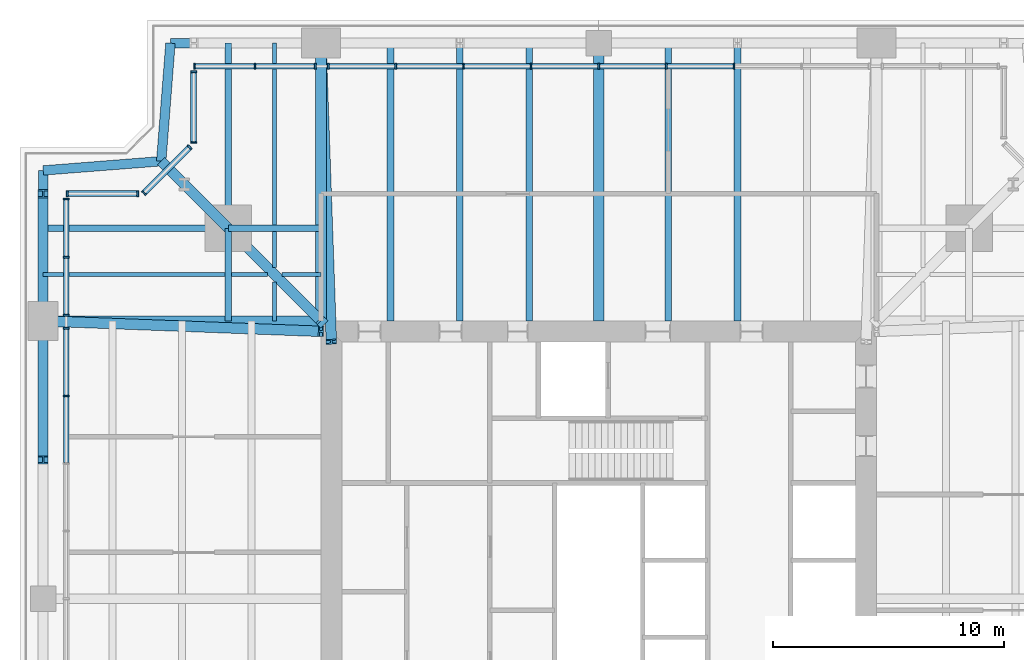
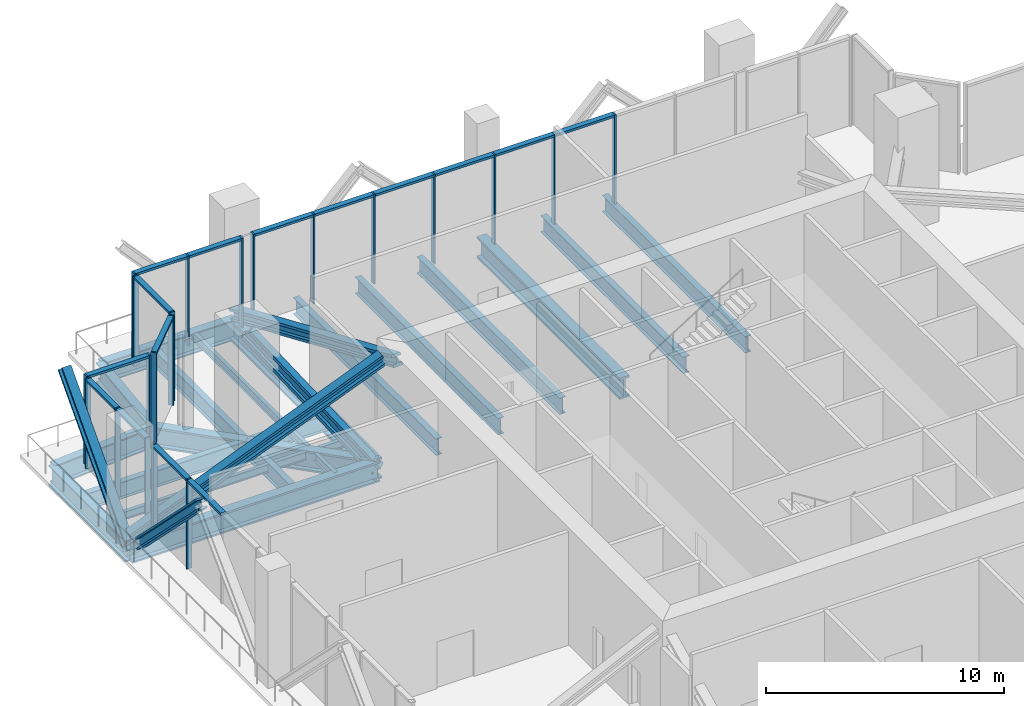
# One storey, part 7 of 14: 41 members, 24 beams, 7 elements without a shape of their own.
"""IFC4 building model written with IfcOpenShell, lengths in metres."""

from ifc_helpers import new_model, si_unit, direction, frame, origin, origin_2d, place, context, subcontext, project, spatial, rectangle, i_section, extrude, material, material_profile, profile_set, type_object, element, aggregate, save


model = new_model("IFC4")

# Units and contexts
model_context = context("Model", 3, precision=1e-05, world=origin(), true_north=direction((0.0, 1.0)))
body_context = subcontext(model_context, "Body", "Model", "MODEL_VIEW")
ifc_project = project(units=[si_unit("LENGTHUNIT", "METRE"), si_unit("AREAUNIT", "SQUARE_METRE"), si_unit("VOLUMEUNIT", "CUBIC_METRE"), si_unit("PLANEANGLEUNIT", "RADIAN"), si_unit("MASSUNIT", "GRAM", prefix="KILO")], contexts=[model_context])

# Site, building, storey
site_placement = place(None, origin())
site = spatial("IfcSite", under=ifc_project, at=site_placement, CompositionType="ELEMENT")
building_placement = place(site_placement, origin())
building = spatial("IfcBuilding", under=site, at=building_placement, Name="Fenwick Lantern Interchange", CompositionType="ELEMENT")
storey_placement = place(building_placement, frame((0.0, 0.0, 233.800048828125)))
storey = spatial("IfcBuildingStorey", under=building, at=storey_placement, Name="L55", CompositionType="ELEMENT", Elevation=233.800048828125)

# Members
ifc_material_1 = material(Name="Steel ASTM A992 Grade 50", Category="steel")
ifc_material_profile_1 = material_profile(ifc_material_1, i_section(OverallWidth=0.431884765625, OverallDepth=0.497802734375, WebThickness=0.0556640625, FlangeThickness=0.0888671875, at=origin_2d()), Name="W14X500")
ifc_profile_set_1 = profile_set([ifc_material_profile_1], Name="Steel ASTM A992 Grade 50")
member_type_1 = type_object("IfcMemberType", Name="BELT TRUSS DIAGONAL W14X500", PredefinedType="BRACE", material=ifc_profile_set_1)
member_1_placement = place(storey_placement, frame((1.0, 37.0, -0.650146484375), z_axis=(0.0, 0.675724628517, 0.737154140201), x_axis=(-1.0, 0.0, 0.0)))
element("IfcMember", 1, at=member_1_placement, inside=storey, type_object=member_type_1, Name="L55/BT/W/D1", PredefinedType="BRACE", context=body_context, shape_type="SweptSolid", body=[
    extrude(i_section(OverallWidth=0.431884765625, OverallDepth=0.497802734375, WebThickness=0.0556640625, FlangeThickness=0.0888671875, at=origin_2d()), origin(), (0.0, 0.0, 1.0), 8.139404296875),
])
member_2_placement = place(storey_placement, frame((1.0, 37.0, -0.650146484375), z_axis=(0.0, -0.707106781187, 0.707106781187), x_axis=(1.0, 0.0, 0.0)))
element("IfcMember", 2, at=member_2_placement, inside=storey, type_object=member_type_1, Name="L55/BT/W/D2", PredefinedType="BRACE", context=body_context, shape_type="SweptSolid", body=[
    extrude(i_section(OverallWidth=0.431884765625, OverallDepth=0.497802734375, WebThickness=0.0556640625, FlangeThickness=0.0888671875, at=origin_2d()), origin(), (0.0, 0.0, 1.0), 8.4853515625),
])

# Beams
ifc_material_profile_2 = material_profile(ifc_material_1, i_section(OverallWidth=0.408935546875, OverallDepth=1.04150390625, WebThickness=0.031005859375, FlangeThickness=0.055908203125, at=origin_2d()), Name="W40X397")
ifc_profile_set_2 = profile_set([ifc_material_profile_2], Name="Steel ASTM A992 Grade 50")
beam_type_1 = type_object("IfcBeamType", Name="EDGE BEAM W40X397", PredefinedType="SPANDREL", material=ifc_profile_set_2)
beam_1_placement = place(storey_placement, frame((13.0, 49.0, -0.720703125), z_axis=(-1.0, 0.0, 0.0), x_axis=(0.0, -1.0, 0.0)))
element("IfcBeam", 3, at=beam_1_placement, inside=storey, type_object=beam_type_1, Name="L55/FR/N/EB4", PredefinedType="SPANDREL", context=body_context, shape_type="SweptSolid", body=[
    extrude(i_section(OverallWidth=0.408935546875, OverallDepth=1.04150390625, WebThickness=0.031005859375, FlangeThickness=0.055908203125, at=origin_2d()), origin(), (0.0, 0.0, 1.0), 6.5),
])
for number, where, z_axis, x_axis, name in (
    (4, (6.5, 49.0, -0.720703125), (-0.078170784639, -0.99693998236, 0.0), (0.99693998236, -0.078170784639, 0.0), "L55/FR/N/EBR1"),
    (5, (6.10009765625, 43.89990234375, -0.720703125), (-0.99693998236, -0.078170784639, 0.0), (0.078170784639, -0.99693998236, 0.0), "L55/FR/N/EBR2"),
):
    element("IfcBeam", number, at=place(storey_placement, frame(where, z_axis=z_axis, x_axis=x_axis)), inside=storey, type_object=beam_type_1, Name=name, PredefinedType="SPANDREL", context=body_context, shape_type="SweptSolid", body=[
        extrude(i_section(OverallWidth=0.408935546875, OverallDepth=1.04150390625, WebThickness=0.031005859375, FlangeThickness=0.055908203125, at=origin_2d()), origin(), (0.0, 0.0, 1.0), 5.11572265625),
    ])
beam_2_placement = place(storey_placement, frame((1.0, 43.5, -0.720703125), z_axis=(0.0, -1.0, 0.0), x_axis=(1.0, 0.0, 0.0)))
element("IfcBeam", 6, at=beam_2_placement, inside=storey, type_object=beam_type_1, Name="L55/FR/W/EB1", PredefinedType="SPANDREL", context=body_context, shape_type="SweptSolid", body=[
    extrude(i_section(OverallWidth=0.408935546875, OverallDepth=1.04150390625, WebThickness=0.031005859375, FlangeThickness=0.055908203125, at=origin_2d()), origin(), (0.0, 0.0, 1.0), 6.5),
])
ifc_material_profile_3 = material_profile(ifc_material_1, i_section(OverallWidth=0.2919921875, OverallDepth=0.845703125, WebThickness=0.015380859375, FlangeThickness=0.0244140625, at=origin_2d()), Name="W33X141")
ifc_profile_set_3 = profile_set([ifc_material_profile_3], Name="Steel ASTM A992 Grade 50")
beam_type_2 = type_object("IfcBeamType", Name="FLOOR BEAM W33X141", PredefinedType="BEAM", material=ifc_profile_set_3)
for number, where, z_axis, x_axis, name in (
    (7, (31.0, 49.0, -0.623046875), (0.0, -1.0, 0.0), (1.0, 0.0, 0.0), "L55/FR/N/R03"),
    (8, (28.0, 49.0, -0.623046875), (0.0, -1.0, 0.0), (1.0, 0.0, 0.0), "L55/FR/N/R04"),
    (9, (22.0, 49.0, -0.623046875), (0.0, -1.0, 0.0), (1.0, 0.0, 0.0), "L55/FR/N/R06"),
    (10, (19.0, 49.0, -0.623046875), (0.0, -1.0, 0.0), (1.0, 0.0, 0.0), "L55/FR/N/R07"),
    (11, (16.0, 49.0, -0.623046875), (0.0, -1.0, 0.0), (1.0, 0.0, 0.0), "L55/FR/N/R08"),
):
    element("IfcBeam", number, at=place(storey_placement, frame(where, z_axis=z_axis, x_axis=x_axis)), inside=storey, type_object=beam_type_2, Name=name, PredefinedType="BEAM", context=body_context, shape_type="SweptSolid", body=[
        extrude(i_section(OverallWidth=0.2919921875, OverallDepth=0.845703125, WebThickness=0.015380859375, FlangeThickness=0.0244140625, at=origin_2d()), origin(), (0.0, 0.0, 1.0), 12.0),
    ])
ifc_material_profile_4 = material_profile(ifc_material_1, i_section(OverallWidth=0.177734375, OverallDepth=0.406494140625, WebThickness=0.0078125, FlangeThickness=0.012939453125, at=origin_2d()), Name="W16X40")
ifc_profile_set_4 = profile_set([ifc_material_profile_4], Name="Steel ASTM A992 Grade 50")
beam_type_3 = type_object("IfcBeamType", Name="INFILL BEAM W16X40", PredefinedType="JOIST", material=ifc_profile_set_4)
beam_3_placement = place(storey_placement, frame((1.0, 39.0, -0.4033203125), z_axis=(1.0, 0.0, 0.0), x_axis=(0.0, 1.0, 0.0)))
element("IfcBeam", 12, at=beam_3_placement, inside=storey, type_object=beam_type_3, Name="L55/FR/W/J1", PredefinedType="JOIST", context=body_context, shape_type="SweptSolid", body=[
    extrude(i_section(OverallWidth=0.177734375, OverallDepth=0.406494140625, WebThickness=0.0078125, FlangeThickness=0.012939453125, at=origin_2d()), origin(), (0.0, 0.0, 1.0), 7.85400390625),
])
beam_4_placement = place(storey_placement, frame((9.14599609375, 39.0, -0.4033203125), z_axis=(1.0, 0.0, 0.0), x_axis=(0.0, 1.0, 0.0)))
element("IfcBeam", 13, at=beam_4_placement, inside=storey, type_object=beam_type_3, Name="L55/FR/W/J2", PredefinedType="JOIST", context=body_context, shape_type="SweptSolid", body=[
    extrude(i_section(OverallWidth=0.177734375, OverallDepth=0.406494140625, WebThickness=0.0078125, FlangeThickness=0.012939453125, at=origin_2d()), origin(), (0.0, 0.0, 1.0), 1.537841796875),
])
beam_5_placement = place(storey_placement, frame((11.316162109375, 39.0, -0.4033203125), z_axis=(1.0, 0.0, 0.0), x_axis=(0.0, 1.0, 0.0)))
element("IfcBeam", 14, at=beam_5_placement, inside=storey, type_object=beam_type_3, Name="L55/FR/W/J6", PredefinedType="JOIST", context=body_context, shape_type="SweptSolid", body=[
    extrude(i_section(OverallWidth=0.177734375, OverallDepth=0.406494140625, WebThickness=0.0078125, FlangeThickness=0.012939453125, at=origin_2d()), origin(), (0.0, 0.0, 1.0), 1.683837890625),
])
beam_6_placement = place(storey_placement, frame((11.0, 49.0, -0.4033203125), z_axis=(0.0, -1.0, 0.0), x_axis=(1.0, 0.0, 0.0)))
element("IfcBeam", 15, at=beam_6_placement, inside=storey, type_object=beam_type_3, Name="L55/FR/W/J3", PredefinedType="JOIST", context=body_context, shape_type="SweptSolid", body=[
    extrude(i_section(OverallWidth=0.177734375, OverallDepth=0.406494140625, WebThickness=0.0078125, FlangeThickness=0.012939453125, at=origin_2d()), origin(), (0.0, 0.0, 1.0), 7.85400390625),
])
beam_7_placement = place(storey_placement, frame((11.0, 40.85400390625, -0.4033203125), z_axis=(0.0, -1.0, 0.0), x_axis=(1.0, 0.0, 0.0)))
element("IfcBeam", 16, at=beam_7_placement, inside=storey, type_object=beam_type_3, Name="L55/FR/W/J4", PredefinedType="JOIST", context=body_context, shape_type="SweptSolid", body=[
    extrude(i_section(OverallWidth=0.177734375, OverallDepth=0.406494140625, WebThickness=0.0078125, FlangeThickness=0.012939453125, at=origin_2d()), origin(), (0.0, 0.0, 1.0), 1.537841796875),
])
beam_8_placement = place(storey_placement, frame((11.0, 38.683837890625, -0.4033203125), z_axis=(0.0, -1.0, 0.0), x_axis=(1.0, 0.0, 0.0)))
element("IfcBeam", 17, at=beam_8_placement, inside=storey, type_object=beam_type_3, Name="L55/FR/W/J5", PredefinedType="JOIST", context=body_context, shape_type="SweptSolid", body=[
    extrude(i_section(OverallWidth=0.177734375, OverallDepth=0.406494140625, WebThickness=0.0078125, FlangeThickness=0.012939453125, at=origin_2d()), origin(), (0.0, 0.0, 1.0), 1.683837890625),
])
ifc_material_profile_5 = material_profile(ifc_material_1, i_section(OverallWidth=0.2919921875, OverallDepth=0.845703125, WebThickness=0.015380859375, FlangeThickness=0.0244140625, at=origin_2d()), Name="W33X141")
ifc_profile_set_5 = profile_set([ifc_material_profile_5], Name="Steel ASTM A992 Grade 50")
beam_type_4 = type_object("IfcBeamType", Name="MEGA COLUMN BEAM W33X141", PredefinedType="BEAM", material=ifc_profile_set_5)
for number, where, z_axis, x_axis, name in (
    (18, (9.0, 41.0, -0.623046875), (-1.0, 0.0, 0.0), (0.0, -1.0, 0.0), "L55/FR/W/MB1"),
    (19, (9.0, 41.0, -0.623046875), (0.0, 1.0, 0.0), (-1.0, 0.0, 0.0), "L55/FR/W/MB2"),
):
    element("IfcBeam", number, at=place(storey_placement, frame(where, z_axis=z_axis, x_axis=x_axis)), inside=storey, type_object=beam_type_4, Name=name, PredefinedType="BEAM", context=body_context, shape_type="SweptSolid", body=[
        extrude(i_section(OverallWidth=0.2919921875, OverallDepth=0.845703125, WebThickness=0.015380859375, FlangeThickness=0.0244140625, at=origin_2d()), origin(), (0.0, 0.0, 1.0), 8.0),
    ])
for number, where, z_axis, x_axis, name in (
    (20, (9.0, 41.0, -0.623046875), (0.0, -1.0, 0.0), (1.0, 0.0, 0.0), "L55/FR/W/MB3"),
    (21, (9.0, 41.0, -0.623046875), (1.0, 0.0, 0.0), (0.0, 1.0, 0.0), "L55/FR/W/MB4"),
):
    element("IfcBeam", number, at=place(storey_placement, frame(where, z_axis=z_axis, x_axis=x_axis)), inside=storey, type_object=beam_type_4, Name=name, PredefinedType="BEAM", context=body_context, shape_type="SweptSolid", body=[
        extrude(i_section(OverallWidth=0.2919921875, OverallDepth=0.845703125, WebThickness=0.015380859375, FlangeThickness=0.0244140625, at=origin_2d()), origin(), (0.0, 0.0, 1.0), 4.0),
    ])
ifc_material_profile_6 = material_profile(ifc_material_1, i_section(OverallWidth=0.447021484375, OverallDepth=1.0439453125, WebThickness=0.050048828125, FlangeThickness=0.08984375, at=origin_2d()), Name="W36X652")
ifc_profile_set_6 = profile_set([ifc_material_profile_6], Name="Steel ASTM A992 Grade 50")
beam_type_5 = type_object("IfcBeamType", Name="MOMENT-CONNECTED GIRDER W36X652", PredefinedType="BEAM", material=ifc_profile_set_6)
beam_9_placement = place(storey_placement, frame((1.0, 37.0, -0.721923828125), z_axis=(1.0, 0.0, 0.0), x_axis=(0.0, 1.0, 0.0)))
element("IfcBeam", 22, at=beam_9_placement, inside=storey, type_object=beam_type_5, Name="L55/FR/W/R01", PredefinedType="BEAM", context=body_context, shape_type="SweptSolid", body=[
    extrude(i_section(OverallWidth=0.447021484375, OverallDepth=1.0439453125, WebThickness=0.050048828125, FlangeThickness=0.08984375, at=origin_2d()), origin(), (0.0, 0.0, 1.0), 12.0),
])
ifc_material_profile_7 = material_profile(ifc_material_1, i_section(OverallWidth=0.472412109375, OverallDepth=1.0947265625, WebThickness=0.07666015625, FlangeThickness=0.114990234375, at=origin_2d()), Name="W36X925")
ifc_profile_set_7 = profile_set([ifc_material_profile_7], Name="Steel ASTM A992 Grade 50")
beam_type_6 = type_object("IfcBeamType", Name="MOMENT-CONNECTED GIRDER W36X925", PredefinedType="BEAM", material=ifc_profile_set_7)
for number, where, z_axis, x_axis, name in (
    (23, (25.0, 49.0, -0.747314453125), (0.0, -1.0, 0.0), (1.0, 0.0, 0.0), "L55/FR/N/R05"),
    (24, (13.0, 49.0, -0.747314453125), (0.0, -1.0, 0.0), (1.0, 0.0, 0.0), "L55/FR/N/R09"),
):
    element("IfcBeam", number, at=place(storey_placement, frame(where, z_axis=z_axis, x_axis=x_axis)), inside=storey, type_object=beam_type_6, Name=name, PredefinedType="BEAM", context=body_context, shape_type="SweptSolid", body=[
        extrude(i_section(OverallWidth=0.472412109375, OverallDepth=1.0947265625, WebThickness=0.07666015625, FlangeThickness=0.114990234375, at=origin_2d()), origin(), (0.0, 0.0, 1.0), 12.0),
    ])
ifc_material_profile_8 = material_profile(ifc_material_1, i_section(OverallWidth=0.447021484375, OverallDepth=1.0439453125, WebThickness=0.050048828125, FlangeThickness=0.08984375, at=origin_2d()), Name="W36X652")
ifc_profile_set_8 = profile_set([ifc_material_profile_8], Name="Steel ASTM A992 Grade 50")
beam_type_7 = type_object("IfcBeamType", Name="NOTCH BEAM W36X652", PredefinedType="BEAM", material=ifc_profile_set_8)
beam_10_placement = place(storey_placement, frame((9.0, 41.0, -0.721923828125), z_axis=(-0.707106781187, 0.707106781187, 0.0), x_axis=(-0.707106781187, -0.707106781187, 0.0)))
element("IfcBeam", 25, at=beam_10_placement, inside=storey, type_object=beam_type_7, Name="L55/FR/W/TG", PredefinedType="BEAM", context=body_context, shape_type="SweptSolid", body=[
    extrude(i_section(OverallWidth=0.447021484375, OverallDepth=1.0439453125, WebThickness=0.050048828125, FlangeThickness=0.08984375, at=origin_2d()), origin(), (0.0, 0.0, 1.0), 4.10107421875),
])
ifc_material_profile_9 = material_profile(ifc_material_1, i_section(OverallWidth=0.447021484375, OverallDepth=1.0439453125, WebThickness=0.050048828125, FlangeThickness=0.08984375, at=origin_2d()), Name="W36X652")
ifc_profile_set_9 = profile_set([ifc_material_profile_9], Name="Steel ASTM A992 Grade 50")
beam_type_8 = type_object("IfcBeamType", Name="OUTRIGGER CHORD W36X652", PredefinedType="BEAM", material=ifc_profile_set_9)
beam_11_placement = place(storey_placement, frame((13.0, 37.0, -0.721923828125), z_axis=(-0.707106781187, 0.707106781187, 0.0), x_axis=(-0.707106781187, -0.707106781187, 0.0)))
element("IfcBeam", 26, at=beam_11_placement, inside=storey, type_object=beam_type_8, Name="L55/OR/W/BC", PredefinedType="BEAM", context=body_context, shape_type="SweptSolid", body=[
    extrude(i_section(OverallWidth=0.447021484375, OverallDepth=1.0439453125, WebThickness=0.050048828125, FlangeThickness=0.08984375, at=origin_2d()), origin(), (0.0, 0.0, 1.0), 5.65673828125),
])

# Members
ifc_material_profile_10 = material_profile(ifc_material_1, i_section(OverallWidth=0.45458984375, OverallDepth=0.56884765625, WebThickness=0.077880859375, FlangeThickness=0.124755859375, at=origin_2d()), Name="W14X730")
ifc_profile_set_10 = profile_set([ifc_material_profile_10], Name="Steel ASTM A992 Grade 50")
member_type_2 = type_object("IfcMemberType", Name="OUTRIGGER DIAGONAL W14X730", PredefinedType="BRACE", material=ifc_profile_set_10)
member_3_placement = place(storey_placement, frame((13.0, 49.0, 0.0), z_axis=(0.032287919116, -0.925680450498, 0.376925979266), x_axis=(0.999392240336, 0.034859001078, 0.0)))
element("IfcMember", 27, at=member_3_placement, inside=storey, type_object=member_type_2, Name="L55/OR/N/W2", PredefinedType="BRACE", context=body_context, shape_type="SweptSolid", body=[
    extrude(i_section(OverallWidth=0.45458984375, OverallDepth=0.56884765625, WebThickness=0.077880859375, FlangeThickness=0.124755859375, at=origin_2d()), origin(), (0.0, 0.0, 1.0), 13.935546875),
])
member_4_placement = place(storey_placement, frame((13.0, 37.0, -0.721923828125), z_axis=(-0.485071250073, 0.485071250073, 0.727606875109), x_axis=(-0.707106781187, -0.707106781187, 0.0)))
element("IfcMember", 28, at=member_4_placement, inside=storey, type_object=member_type_2, Name="L55/OR/W/D", PredefinedType="BRACE", context=body_context, shape_type="SweptSolid", body=[
    extrude(i_section(OverallWidth=0.45458984375, OverallDepth=0.56884765625, WebThickness=0.077880859375, FlangeThickness=0.124755859375, at=origin_2d()), origin(), (0.0, 0.0, 1.0), 8.24609375),
])
member_5_placement = place(storey_placement, frame((1.0, 37.0, 0.0), z_axis=(0.914830425653, -0.034302418507, 0.402378722579), x_axis=(0.037469600146, 0.999297767968, 0.0)))
element("IfcMember", 29, at=member_5_placement, inside=storey, type_object=member_type_2, Name="L55/OR/W/W1", PredefinedType="BRACE", context=body_context, shape_type="SweptSolid", body=[
    extrude(i_section(OverallWidth=0.45458984375, OverallDepth=0.56884765625, WebThickness=0.077880859375, FlangeThickness=0.124755859375, at=origin_2d()), origin(), (0.0, 0.0, 1.0), 13.1171875),
])

# Curtain wall, members
ifc_material_2 = material(Name="Aluminium curtain wall frame", Category="aluminium")
curtain_wall_type = type_object("IfcCurtainWallType", Name="PLANT LOUVRE SCREEN", PredefinedType="USERDEFINED", material=ifc_material_2)
curtain_wall_1_placement = place(storey_placement, origin())
curtain_wall_1 = element("IfcCurtainWall", 30, at=curtain_wall_1_placement, inside=storey, type_object=curtain_wall_type, Name="Plant louvre screen 08B", ObjectType="PLANT LOUVRE SCREEN", PredefinedType="USERDEFINED")
ifc_material_3 = material(Name="Aluminium extrusion", Category="aluminium")
ifc_material_profile_11 = material_profile(ifc_material_3, rectangle(XDim=0.25, YDim=0.074951171875, at=origin_2d()), Name="PLANT LOUVRE SCREEN MULLION 75 X 250")
ifc_profile_set_11 = profile_set([ifc_material_profile_11], Name="Aluminium extrusion")
member_type_3 = type_object("IfcMemberType", Name="PLANT LOUVRE SCREEN MULLION 75 X 250", PredefinedType="MULLION", material=ifc_profile_set_11)
member_6_placement = place(storey_placement, frame((30.8427734375, 48.0, 0.0), z_axis=(0.0, 0.0, 1.0), x_axis=(0.0, -1.0, 0.0)))
member_6 = element("IfcMember", 31, at=member_6_placement, type_object=member_type_3, Name="L55/CW/08B/M02", PredefinedType="MULLION", context=body_context, shape_type="SweptSolid", body=[
    extrude(rectangle(XDim=0.25, YDim=0.074951171875, at=origin_2d()), origin(), (0.0, 0.0, 1.0), 4.599853515625),
])
member_7_placement = place(storey_placement, frame((27.92138671875, 48.0, 0.0), z_axis=(0.0, 0.0, 1.0), x_axis=(0.0, -1.0, 0.0)))
member_7 = element("IfcMember", 32, at=member_7_placement, type_object=member_type_3, Name="L55/CW/08B/M03", PredefinedType="MULLION", context=body_context, shape_type="SweptSolid", body=[
    extrude(rectangle(XDim=0.25, YDim=0.074951171875, at=origin_2d()), origin(), (0.0, 0.0, 1.0), 4.599853515625),
])
member_8_placement = place(storey_placement, frame((25.0, 48.0, 0.0), z_axis=(0.0, 0.0, 1.0), x_axis=(0.0, -1.0, 0.0)))
member_8 = element("IfcMember", 33, at=member_8_placement, type_object=member_type_3, Name="L55/CW/08B/M04", PredefinedType="MULLION", context=body_context, shape_type="SweptSolid", body=[
    extrude(rectangle(XDim=0.25, YDim=0.074951171875, at=origin_2d()), origin(), (0.0, 0.0, 1.0), 4.599853515625),
])
member_9_placement = place(storey_placement, frame((22.07861328125, 48.0, 0.0), z_axis=(0.0, 0.0, 1.0), x_axis=(0.0, -1.0, 0.0)))
member_9 = element("IfcMember", 34, at=member_9_placement, type_object=member_type_3, Name="L55/CW/08B/M05", PredefinedType="MULLION", context=body_context, shape_type="SweptSolid", body=[
    extrude(rectangle(XDim=0.25, YDim=0.074951171875, at=origin_2d()), origin(), (0.0, 0.0, 1.0), 4.599853515625),
])
member_10_placement = place(storey_placement, frame((19.1572265625, 48.0, 0.0), z_axis=(0.0, 0.0, 1.0), x_axis=(0.0, -1.0, 0.0)))
member_10 = element("IfcMember", 35, at=member_10_placement, type_object=member_type_3, Name="L55/CW/08B/M06", PredefinedType="MULLION", context=body_context, shape_type="SweptSolid", body=[
    extrude(rectangle(XDim=0.25, YDim=0.074951171875, at=origin_2d()), origin(), (0.0, 0.0, 1.0), 4.599853515625),
])
member_11_placement = place(storey_placement, frame((16.235595703125, 48.0, 0.0), z_axis=(0.0, 0.0, 1.0), x_axis=(0.0, -1.0, 0.0)))
member_11 = element("IfcMember", 36, at=member_11_placement, type_object=member_type_3, Name="L55/CW/08B/M07", PredefinedType="MULLION", context=body_context, shape_type="SweptSolid", body=[
    extrude(rectangle(XDim=0.25, YDim=0.074951171875, at=origin_2d()), origin(), (0.0, 0.0, 1.0), 4.599853515625),
])
member_12_placement = place(storey_placement, frame((13.314208984375, 48.0, 0.0), z_axis=(0.0, 0.0, 1.0), x_axis=(0.0, -1.0, 0.0)))
member_12 = element("IfcMember", 37, at=member_12_placement, type_object=member_type_3, Name="L55/CW/08B/M08", PredefinedType="MULLION", context=body_context, shape_type="SweptSolid", body=[
    extrude(rectangle(XDim=0.25, YDim=0.074951171875, at=origin_2d()), origin(), (0.0, 0.0, 1.0), 4.599853515625),
])

curtain_wall_2_placement = place(storey_placement, origin())
curtain_wall_2 = element("IfcCurtainWall", 38, at=curtain_wall_2_placement, inside=storey, type_object=curtain_wall_type, Name="Plant louvre screen 08C", ObjectType="PLANT LOUVRE SCREEN", PredefinedType="USERDEFINED")
member_13_placement = place(storey_placement, frame((12.755615234375, 48.0, 0.0), z_axis=(0.0, 0.0, 1.0), x_axis=(0.0, -1.0, 0.0)))
member_13 = element("IfcMember", 39, at=member_13_placement, type_object=member_type_3, Name="L55/CW/08C/M00", PredefinedType="MULLION", context=body_context, shape_type="SweptSolid", body=[
    extrude(rectangle(XDim=0.25, YDim=0.074951171875, at=origin_2d()), origin(), (0.0, 0.0, 1.0), 4.599853515625),
])
member_14_placement = place(storey_placement, frame((10.146484375, 48.0, 0.0), z_axis=(0.0, 0.0, 1.0), x_axis=(0.0, -1.0, 0.0)))
member_14 = element("IfcMember", 40, at=member_14_placement, type_object=member_type_3, Name="L55/CW/08C/M01", PredefinedType="MULLION", context=body_context, shape_type="SweptSolid", body=[
    extrude(rectangle(XDim=0.25, YDim=0.074951171875, at=origin_2d()), origin(), (0.0, 0.0, 1.0), 4.599853515625),
])
member_15_placement = place(storey_placement, frame((7.53759765625, 48.0, 0.0), z_axis=(0.0, 0.0, 1.0), x_axis=(0.0, -1.0, 0.0)))
member_15 = element("IfcMember", 41, at=member_15_placement, type_object=member_type_3, Name="L55/CW/08C/M02", PredefinedType="MULLION", context=body_context, shape_type="SweptSolid", body=[
    extrude(rectangle(XDim=0.25, YDim=0.074951171875, at=origin_2d()), origin(), (0.0, 0.0, 1.0), 4.599853515625),
])

curtain_wall_3_placement = place(storey_placement, origin())
curtain_wall_3 = element("IfcCurtainWall", 42, at=curtain_wall_3_placement, inside=storey, type_object=curtain_wall_type, Name="Plant louvre screen 09", ObjectType="PLANT LOUVRE SCREEN", PredefinedType="USERDEFINED")
member_16_placement = place(storey_placement, frame((7.5, 47.762451171875, 0.0), z_axis=(0.0, 0.0, 1.0), x_axis=(1.0, 0.0, 0.0)))
member_16 = element("IfcMember", 43, at=member_16_placement, type_object=member_type_3, Name="L55/CW/09/M00", PredefinedType="MULLION", context=body_context, shape_type="SweptSolid", body=[
    extrude(rectangle(XDim=0.25, YDim=0.074951171875, at=origin_2d()), origin(), (0.0, 0.0, 1.0), 4.599853515625),
])
member_17_placement = place(storey_placement, frame((7.5, 44.708984375, 0.0), z_axis=(0.0, 0.0, 1.0), x_axis=(1.0, 0.0, 0.0)))
member_17 = element("IfcMember", 44, at=member_17_placement, type_object=member_type_3, Name="L55/CW/09/M01", PredefinedType="MULLION", context=body_context, shape_type="SweptSolid", body=[
    extrude(rectangle(XDim=0.25, YDim=0.074951171875, at=origin_2d()), origin(), (0.0, 0.0, 1.0), 4.599853515625),
])

curtain_wall_4_placement = place(storey_placement, origin())
curtain_wall_4 = element("IfcCurtainWall", 45, at=curtain_wall_4_placement, inside=storey, type_object=curtain_wall_type, Name="Plant louvre screen 10", ObjectType="PLANT LOUVRE SCREEN", PredefinedType="USERDEFINED")
member_18_placement = place(storey_placement, frame((7.33203125, 44.503662109375, 0.0), z_axis=(0.0, 0.0, 1.0), x_axis=(0.707106781187, -0.707106781187, 0.0)))
member_18 = element("IfcMember", 46, at=member_18_placement, type_object=member_type_3, Name="L55/CW/10/M00", PredefinedType="MULLION", context=body_context, shape_type="SweptSolid", body=[
    extrude(rectangle(XDim=0.25, YDim=0.074951171875, at=origin_2d()), origin(), (0.0, 0.0, 1.0), 4.599853515625),
])
member_19_placement = place(storey_placement, frame((5.35498046875, 42.526611328125, 0.0), z_axis=(0.0, 0.0, 1.0), x_axis=(0.707106781187, -0.707106781187, 0.0)))
member_19 = element("IfcMember", 47, at=member_19_placement, type_object=member_type_3, Name="L55/CW/10/M01", PredefinedType="MULLION", context=body_context, shape_type="SweptSolid", body=[
    extrude(rectangle(XDim=0.25, YDim=0.074951171875, at=origin_2d()), origin(), (0.0, 0.0, 1.0), 4.599853515625),
])

curtain_wall_5_placement = place(storey_placement, origin())
curtain_wall_5 = element("IfcCurtainWall", 48, at=curtain_wall_5_placement, inside=storey, type_object=curtain_wall_type, Name="Plant louvre screen 11", ObjectType="PLANT LOUVRE SCREEN", PredefinedType="USERDEFINED")
member_20_placement = place(storey_placement, frame((5.0908203125, 42.5, 0.0), z_axis=(0.0, 0.0, 1.0), x_axis=(0.0, -1.0, 0.0)))
member_20 = element("IfcMember", 49, at=member_20_placement, type_object=member_type_3, Name="L55/CW/11/M00", PredefinedType="MULLION", context=body_context, shape_type="SweptSolid", body=[
    extrude(rectangle(XDim=0.25, YDim=0.074951171875, at=origin_2d()), origin(), (0.0, 0.0, 1.0), 4.599853515625),
])
member_21_placement = place(storey_placement, frame((2.03759765625, 42.5, 0.0), z_axis=(0.0, 0.0, 1.0), x_axis=(0.0, -1.0, 0.0)))
member_21 = element("IfcMember", 50, at=member_21_placement, type_object=member_type_3, Name="L55/CW/11/M01", PredefinedType="MULLION", context=body_context, shape_type="SweptSolid", body=[
    extrude(rectangle(XDim=0.25, YDim=0.074951171875, at=origin_2d()), origin(), (0.0, 0.0, 1.0), 4.599853515625),
])

curtain_wall_6_placement = place(storey_placement, origin())
curtain_wall_6 = element("IfcCurtainWall", 51, at=curtain_wall_6_placement, inside=storey, type_object=curtain_wall_type, Name="Plant louvre screen 12A", ObjectType="PLANT LOUVRE SCREEN", PredefinedType="USERDEFINED")
member_22_placement = place(storey_placement, frame((2.0, 42.262451171875, 0.0), z_axis=(0.0, 0.0, 1.0), x_axis=(1.0, 0.0, 0.0)))
member_22 = element("IfcMember", 52, at=member_22_placement, type_object=member_type_3, Name="L55/CW/12A/M00", PredefinedType="MULLION", context=body_context, shape_type="SweptSolid", body=[
    extrude(rectangle(XDim=0.25, YDim=0.074951171875, at=origin_2d()), origin(), (0.0, 0.0, 1.0), 4.599853515625),
])
member_23_placement = place(storey_placement, frame((2.0, 39.75244140625, 0.0), z_axis=(0.0, 0.0, 1.0), x_axis=(1.0, 0.0, 0.0)))
member_23 = element("IfcMember", 53, at=member_23_placement, type_object=member_type_3, Name="L55/CW/12A/M01", PredefinedType="MULLION", context=body_context, shape_type="SweptSolid", body=[
    extrude(rectangle(XDim=0.25, YDim=0.074951171875, at=origin_2d()), origin(), (0.0, 0.0, 1.0), 4.599853515625),
])
member_24_placement = place(storey_placement, frame((2.0, 37.2421875, 0.0), z_axis=(0.0, 0.0, 1.0), x_axis=(1.0, 0.0, 0.0)))
member_24 = element("IfcMember", 54, at=member_24_placement, type_object=member_type_3, Name="L55/CW/12A/M02", PredefinedType="MULLION", context=body_context, shape_type="SweptSolid", body=[
    extrude(rectangle(XDim=0.25, YDim=0.074951171875, at=origin_2d()), origin(), (0.0, 0.0, 1.0), 4.599853515625),
])

curtain_wall_7_placement = place(storey_placement, origin())
curtain_wall_7 = element("IfcCurtainWall", 55, at=curtain_wall_7_placement, inside=storey, type_object=curtain_wall_type, Name="Plant louvre screen 12B", ObjectType="PLANT LOUVRE SCREEN", PredefinedType="USERDEFINED")
member_25_placement = place(storey_placement, frame((2.0, 36.682861328125, 0.0), z_axis=(0.0, 0.0, 1.0), x_axis=(1.0, 0.0, 0.0)))
member_25 = element("IfcMember", 56, at=member_25_placement, type_object=member_type_3, Name="L55/CW/12B/M00", PredefinedType="MULLION", context=body_context, shape_type="SweptSolid", body=[
    extrude(rectangle(XDim=0.25, YDim=0.074951171875, at=origin_2d()), origin(), (0.0, 0.0, 1.0), 4.599853515625),
])
member_26_placement = place(storey_placement, frame((2.0, 33.76220703125, 0.0), z_axis=(0.0, 0.0, 1.0), x_axis=(1.0, 0.0, 0.0)))
member_26 = element("IfcMember", 57, at=member_26_placement, type_object=member_type_3, Name="L55/CW/12B/M01", PredefinedType="MULLION", context=body_context, shape_type="SweptSolid", body=[
    extrude(rectangle(XDim=0.25, YDim=0.074951171875, at=origin_2d()), origin(), (0.0, 0.0, 1.0), 4.599853515625),
])

# Member
ifc_material_profile_12 = material_profile(ifc_material_3, rectangle(XDim=0.25, YDim=0.1201171875, at=origin_2d()), Name="PLANT LOUVRE SCREEN TRANSOM 120 X 250")
ifc_profile_set_12 = profile_set([ifc_material_profile_12], Name="Aluminium extrusion")
member_type_4 = type_object("IfcMemberType", Name="PLANT LOUVRE SCREEN TRANSOM 120 X 250", PredefinedType="MULLION", material=ifc_profile_set_12)
member_27_placement = place(storey_placement, frame((30.805419921875, 48.0, 4.5400390625), z_axis=(-1.0, 0.0, 0.0), x_axis=(0.0, -1.0, 0.0)))
member_27 = element("IfcMember", 58, at=member_27_placement, type_object=member_type_4, Name="L55/CW/08B/T02", PredefinedType="MULLION", context=body_context, shape_type="SweptSolid", body=[
    extrude(rectangle(XDim=0.25, YDim=0.1201171875, at=origin_2d()), origin(), (0.0, 0.0, 1.0), 2.846435546875),
])

member_28_placement = place(storey_placement, frame((27.884033203125, 48.0, 4.5400390625), z_axis=(-1.0, 0.0, 0.0), x_axis=(0.0, -1.0, 0.0)))
member_28 = element("IfcMember", 59, at=member_28_placement, type_object=member_type_4, Name="L55/CW/08B/T03", PredefinedType="MULLION", context=body_context, shape_type="SweptSolid", body=[
    extrude(rectangle(XDim=0.25, YDim=0.1201171875, at=origin_2d()), origin(), (0.0, 0.0, 1.0), 2.846435546875),
])

member_29_placement = place(storey_placement, frame((24.96240234375, 48.0, 4.5400390625), z_axis=(-1.0, 0.0, 0.0), x_axis=(0.0, -1.0, 0.0)))
member_29 = element("IfcMember", 60, at=member_29_placement, type_object=member_type_4, Name="L55/CW/08B/T04", PredefinedType="MULLION", context=body_context, shape_type="SweptSolid", body=[
    extrude(rectangle(XDim=0.25, YDim=0.1201171875, at=origin_2d()), origin(), (0.0, 0.0, 1.0), 2.846435546875),
])

member_30_placement = place(storey_placement, frame((22.041015625, 48.0, 4.5400390625), z_axis=(-1.0, 0.0, 0.0), x_axis=(0.0, -1.0, 0.0)))
member_30 = element("IfcMember", 61, at=member_30_placement, type_object=member_type_4, Name="L55/CW/08B/T05", PredefinedType="MULLION", context=body_context, shape_type="SweptSolid", body=[
    extrude(rectangle(XDim=0.25, YDim=0.1201171875, at=origin_2d()), origin(), (0.0, 0.0, 1.0), 2.846435546875),
])

member_31_placement = place(storey_placement, frame((19.11962890625, 48.0, 4.5400390625), z_axis=(-1.0, 0.0, 0.0), x_axis=(0.0, -1.0, 0.0)))
member_31 = element("IfcMember", 62, at=member_31_placement, type_object=member_type_4, Name="L55/CW/08B/T06", PredefinedType="MULLION", context=body_context, shape_type="SweptSolid", body=[
    extrude(rectangle(XDim=0.25, YDim=0.1201171875, at=origin_2d()), origin(), (0.0, 0.0, 1.0), 2.846435546875),
])

member_32_placement = place(storey_placement, frame((16.1982421875, 48.0, 4.5400390625), z_axis=(-1.0, 0.0, 0.0), x_axis=(0.0, -1.0, 0.0)))
member_32 = element("IfcMember", 63, at=member_32_placement, type_object=member_type_4, Name="L55/CW/08B/T07", PredefinedType="MULLION", context=body_context, shape_type="SweptSolid", body=[
    extrude(rectangle(XDim=0.25, YDim=0.1201171875, at=origin_2d()), origin(), (0.0, 0.0, 1.0), 2.846435546875),
])

aggregate(curtain_wall_1, [member_6, member_7, member_8, member_9, member_10, member_11, member_12, member_27, member_28, member_29, member_30, member_31, member_32])

member_33_placement = place(storey_placement, frame((12.718017578125, 48.0, 4.5400390625), z_axis=(-1.0, 0.0, 0.0), x_axis=(0.0, -1.0, 0.0)))
member_33 = element("IfcMember", 64, at=member_33_placement, type_object=member_type_4, Name="L55/CW/08C/T00", PredefinedType="MULLION", context=body_context, shape_type="SweptSolid", body=[
    extrude(rectangle(XDim=0.25, YDim=0.1201171875, at=origin_2d()), origin(), (0.0, 0.0, 1.0), 2.533935546875),
])

member_34_placement = place(storey_placement, frame((10.109130859375, 48.0, 4.5400390625), z_axis=(-1.0, 0.0, 0.0), x_axis=(0.0, -1.0, 0.0)))
member_34 = element("IfcMember", 65, at=member_34_placement, type_object=member_type_4, Name="L55/CW/08C/T01", PredefinedType="MULLION", context=body_context, shape_type="SweptSolid", body=[
    extrude(rectangle(XDim=0.25, YDim=0.1201171875, at=origin_2d()), origin(), (0.0, 0.0, 1.0), 2.5341796875),
])

aggregate(curtain_wall_2, [member_13, member_14, member_15, member_33, member_34])

member_35_placement = place(storey_placement, frame((7.5, 47.72509765625, 4.5400390625), z_axis=(0.0, -1.0, 0.0), x_axis=(1.0, 0.0, 0.0)))
member_35 = element("IfcMember", 66, at=member_35_placement, type_object=member_type_4, Name="L55/CW/09/T00", PredefinedType="MULLION", context=body_context, shape_type="SweptSolid", body=[
    extrude(rectangle(XDim=0.25, YDim=0.1201171875, at=origin_2d()), origin(), (0.0, 0.0, 1.0), 2.978515625),
])

aggregate(curtain_wall_3, [member_16, member_17, member_35])

member_36_placement = place(storey_placement, frame((7.3056640625, 44.47705078125, 4.5400390625), z_axis=(-0.707151638406, -0.707061921121, 0.0), x_axis=(0.707061921121, -0.707151638406, 0.0)))
member_36 = element("IfcMember", 67, at=member_36_placement, type_object=member_type_4, Name="L55/CW/10/T00", PredefinedType="MULLION", context=body_context, shape_type="SweptSolid", body=[
    extrude(rectangle(XDim=0.25, YDim=0.1201171875, at=origin_2d()), origin(), (0.0, 0.0, 1.0), 2.72119140625),
])

aggregate(curtain_wall_4, [member_18, member_19, member_36])

member_37_placement = place(storey_placement, frame((5.053466796875, 42.5, 4.5400390625), z_axis=(-1.0, 0.0, 0.0), x_axis=(0.0, -1.0, 0.0)))
member_37 = element("IfcMember", 68, at=member_37_placement, type_object=member_type_4, Name="L55/CW/11/T00", PredefinedType="MULLION", context=body_context, shape_type="SweptSolid", body=[
    extrude(rectangle(XDim=0.25, YDim=0.1201171875, at=origin_2d()), origin(), (0.0, 0.0, 1.0), 2.978515625),
])

aggregate(curtain_wall_5, [member_20, member_21, member_37])

member_38_placement = place(storey_placement, frame((2.0, 42.22509765625, 4.5400390625), z_axis=(0.0, -1.0, 0.0), x_axis=(1.0, 0.0, 0.0)))
member_38 = element("IfcMember", 69, at=member_38_placement, type_object=member_type_4, Name="L55/CW/12A/T00", PredefinedType="MULLION", context=body_context, shape_type="SweptSolid", body=[
    extrude(rectangle(XDim=0.25, YDim=0.1201171875, at=origin_2d()), origin(), (0.0, 0.0, 1.0), 2.435302734375),
])

member_39_placement = place(storey_placement, frame((2.0, 39.71484375, 4.5400390625), z_axis=(0.0, -1.0, 0.0), x_axis=(1.0, 0.0, 0.0)))
member_39 = element("IfcMember", 70, at=member_39_placement, type_object=member_type_4, Name="L55/CW/12A/T01", PredefinedType="MULLION", context=body_context, shape_type="SweptSolid", body=[
    extrude(rectangle(XDim=0.25, YDim=0.1201171875, at=origin_2d()), origin(), (0.0, 0.0, 1.0), 2.43505859375),
])

aggregate(curtain_wall_6, [member_22, member_23, member_24, member_38, member_39])

member_40_placement = place(storey_placement, frame((2.0, 36.645263671875, 4.5400390625), z_axis=(0.0, -1.0, 0.0), x_axis=(1.0, 0.0, 0.0)))
member_40 = element("IfcMember", 71, at=member_40_placement, type_object=member_type_4, Name="L55/CW/12B/T00", PredefinedType="MULLION", context=body_context, shape_type="SweptSolid", body=[
    extrude(rectangle(XDim=0.25, YDim=0.1201171875, at=origin_2d()), origin(), (0.0, 0.0, 1.0), 2.845703125),
])

member_41_placement = place(storey_placement, frame((2.0, 33.724609375, 4.5400390625), z_axis=(0.0, -1.0, 0.0), x_axis=(1.0, 0.0, 0.0)))
member_41 = element("IfcMember", 72, at=member_41_placement, type_object=member_type_4, Name="L55/CW/12B/T01", PredefinedType="MULLION", context=body_context, shape_type="SweptSolid", body=[
    extrude(rectangle(XDim=0.25, YDim=0.1201171875, at=origin_2d()), origin(), (0.0, 0.0, 1.0), 2.845703125),
])

aggregate(curtain_wall_7, [member_25, member_26, member_40, member_41])

save(model, "model.ifc")
